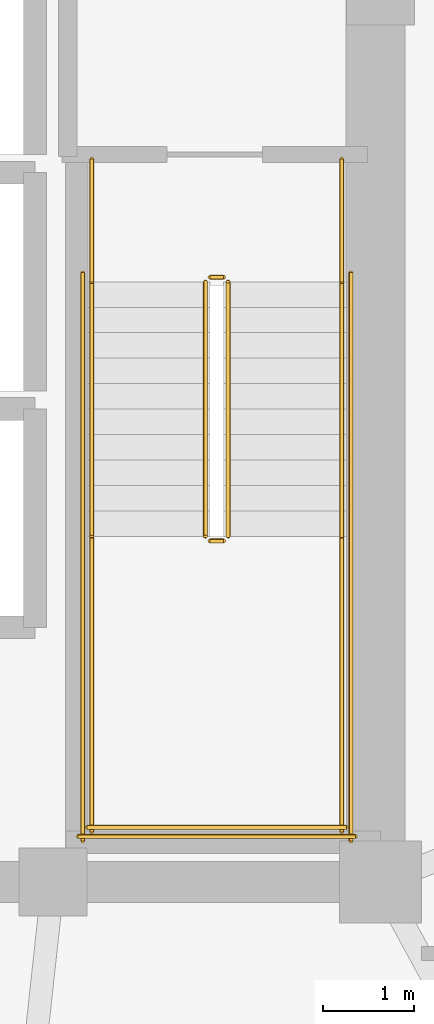
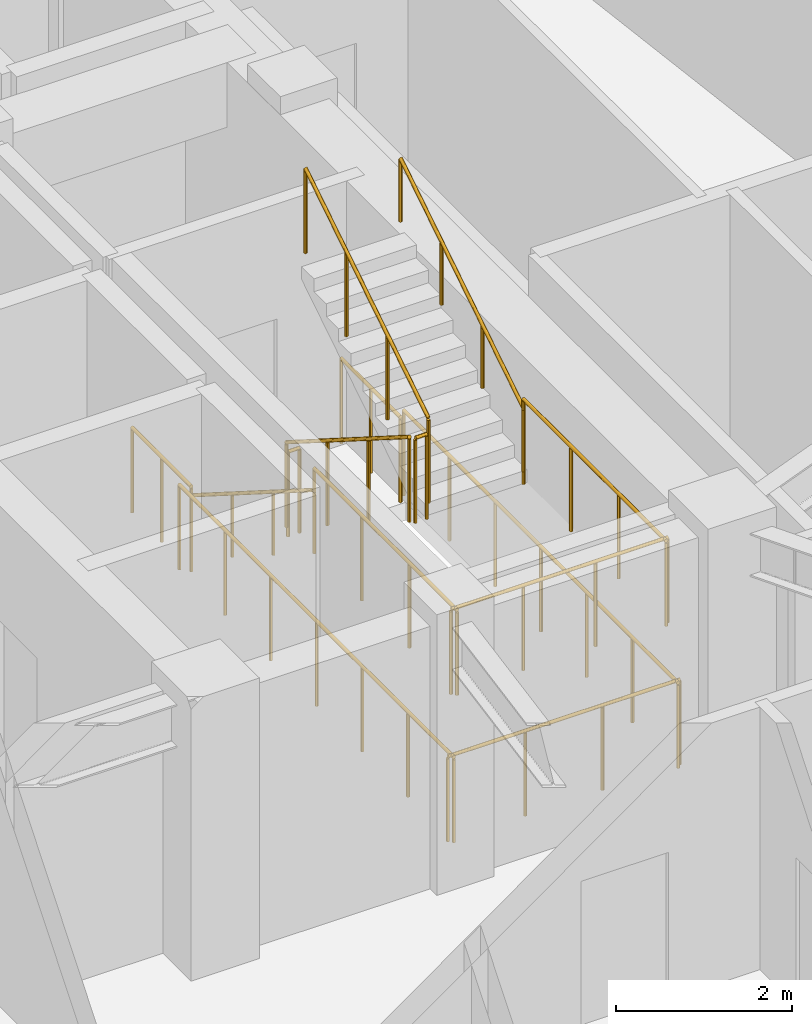
# One storey, part 11 of 11: 14 railings.
"""IFC4 building model written with IfcOpenShell, lengths in metres."""

from ifc_helpers import new_model, si_unit, direction, frame, origin, origin_2d, place, context, subcontext, project, spatial, circle, extrude, material, type_object, element, save


model = new_model("IFC4")

# Units and contexts
model_context = context("Model", 3, precision=1e-05, world=origin(), true_north=direction((0.0, 1.0)))
body_context = subcontext(model_context, "Body", "Model", "MODEL_VIEW")
ifc_project = project(units=[si_unit("LENGTHUNIT", "METRE"), si_unit("AREAUNIT", "SQUARE_METRE"), si_unit("VOLUMEUNIT", "CUBIC_METRE"), si_unit("PLANEANGLEUNIT", "RADIAN"), si_unit("MASSUNIT", "GRAM", prefix="KILO")], contexts=[model_context])

# Site, building, storey
site_placement = place(None, origin())
site = spatial("IfcSite", under=ifc_project, at=site_placement, CompositionType="ELEMENT")
building_placement = place(site_placement, origin())
building = spatial("IfcBuilding", under=site, at=building_placement, Name="Voryun Gate Residences", CompositionType="ELEMENT")
storey_placement = place(building_placement, frame((0.0, 0.0, 175.5)))
storey = spatial("IfcBuildingStorey", under=building, at=storey_placement, Name="L43", CompositionType="ELEMENT", Elevation=175.5)

# Railings
ifc_material_1 = material(Name="Painted steel", Category="steel")
railing_type_1 = type_object("IfcRailingType", Name="RAIL_STAIR_GUARD_1200", PredefinedType="GUARDRAIL", material=ifc_material_1)
railing_1_placement = place(storey_placement, frame((17.27490234375, -0.800048828125, 0.17724609375)))
element("IfcRailing", 1, at=railing_1_placement, inside=storey, type_object=railing_type_1, Name="L43 ST-E1 stair guard 1", PredefinedType="GUARDRAIL", context=body_context, shape_type="SweptSolid", body=[
    extrude(circle(Radius=0.02392578125, at=origin_2d()), frame((0.0, 0.0, 1.17578125), z_axis=(0.0, -0.844908973607, 0.534910110503), x_axis=(1.0, 0.0, 0.0)), (0.0, 0.0, 1.0), 3.31396484375),
    extrude(circle(Radius=0.02099609375, at=origin_2d()), origin(), (0.0, 0.0, 1.0), 1.15185546875),
    extrude(circle(Radius=0.02099609375, at=origin_2d()), frame((0.0, -0.933349609375, 0.5908203125)), (0.0, 0.0, 1.0), 1.15185546875),
    extrude(circle(Radius=0.02099609375, at=origin_2d()), frame((0.0, -1.86669921875, 1.181884765625)), (0.0, 0.0, 1.0), 1.15185546875),
    extrude(circle(Radius=0.02099609375, at=origin_2d()), frame((0.0, -2.800048828125, 1.772705078125)), (0.0, 0.0, 1.0), 1.15185546875),
])
railing_2_placement = place(storey_placement, frame((17.324951171875, -3.64990234375, 1.949951171875)))
element("IfcRailing", 2, at=railing_2_placement, inside=storey, type_object=railing_type_1, Name="L43 ST-E1 stair guard 2", PredefinedType="GUARDRAIL", context=body_context, shape_type="SweptSolid", body=[
    extrude(circle(Radius=0.02392578125, at=origin_2d()), frame((0.0, 0.0, 1.17578125), z_axis=(1.0, 0.0, 0.0), x_axis=(0.0, 1.0, 0.0)), (0.0, 0.0, 1.0), 0.150146484375),
    extrude(circle(Radius=0.02099609375, at=origin_2d()), origin(), (0.0, 0.0, 1.0), 1.15185546875),
    extrude(circle(Radius=0.02099609375, at=origin_2d()), frame((0.150146484375, 0.0, 0.0)), (0.0, 0.0, 1.0), 1.15185546875),
])
for number, where, name in (
    (3, (16.02490234375, -3.60009765625, 1.949951171875), "L43 ST-E1 stair guard 3"),
    (4, (18.77490234375, -3.60009765625, 1.949951171875), "L43 ST-E1 stair guard 4"),
):
    element("IfcRailing", number, at=place(storey_placement, frame(where)), inside=storey, type_object=railing_type_1, Name=name, PredefinedType="GUARDRAIL", context=body_context, shape_type="SweptSolid", body=[
        extrude(circle(Radius=0.02392578125, at=origin_2d()), frame((0.0, 0.0, 1.17578125), z_axis=(0.0, -1.0, 0.0), x_axis=(1.0, 0.0, 0.0)), (0.0, 0.0, 1.0), 3.25),
        extrude(circle(Radius=0.02099609375, at=origin_2d()), origin(), (0.0, 0.0, 1.0), 1.15185546875),
        extrude(circle(Radius=0.02099609375, at=origin_2d()), frame((0.0, -1.083251953125, 0.0)), (0.0, 0.0, 1.0), 1.15185546875),
        extrude(circle(Radius=0.02099609375, at=origin_2d()), frame((0.0, -2.166748046875, 0.0)), (0.0, 0.0, 1.0), 1.15185546875),
        extrude(circle(Radius=0.02099609375, at=origin_2d()), frame((0.0, -3.25, 0.0)), (0.0, 0.0, 1.0), 1.15185546875),
    ])
railing_3_placement = place(storey_placement, frame((15.97509765625, -6.800048828125, 1.949951171875)))
element("IfcRailing", 5, at=railing_3_placement, inside=storey, type_object=railing_type_1, Name="L43 ST-E1 stair guard 5", PredefinedType="GUARDRAIL", context=body_context, shape_type="SweptSolid", body=[
    extrude(circle(Radius=0.02392578125, at=origin_2d()), frame((0.0, 0.0, 1.17578125), z_axis=(1.0, 0.0, 0.0), x_axis=(0.0, 1.0, 0.0)), (0.0, 0.0, 1.0), 2.849853515625),
    extrude(circle(Radius=0.02099609375, at=origin_2d()), origin(), (0.0, 0.0, 1.0), 1.15185546875),
    extrude(circle(Radius=0.02099609375, at=origin_2d()), frame((0.949951171875, 0.0, 0.0)), (0.0, 0.0, 1.0), 1.15185546875),
    extrude(circle(Radius=0.02099609375, at=origin_2d()), frame((1.89990234375, 0.0, 0.0)), (0.0, 0.0, 1.0), 1.15185546875),
    extrude(circle(Radius=0.02099609375, at=origin_2d()), frame((2.849853515625, 0.0, 0.0)), (0.0, 0.0, 1.0), 1.15185546875),
])
railing_4_placement = place(storey_placement, frame((17.52490234375, -3.60009765625, 2.127197265625)))
element("IfcRailing", 6, at=railing_4_placement, inside=storey, type_object=railing_type_1, Name="L43 ST-E1 stair guard 6", PredefinedType="GUARDRAIL", context=body_context, shape_type="SweptSolid", body=[
    extrude(circle(Radius=0.02392578125, at=origin_2d()), frame((0.0, 0.0, 1.17578125), z_axis=(0.0, 0.844908973607, 0.534910110503), x_axis=(-1.0, 0.0, 0.0)), (0.0, 0.0, 1.0), 3.31396484375),
    extrude(circle(Radius=0.02099609375, at=origin_2d()), origin(), (0.0, 0.0, 1.0), 1.15185546875),
    extrude(circle(Radius=0.02099609375, at=origin_2d()), frame((0.0, 0.933349609375, 0.5908203125)), (0.0, 0.0, 1.0), 1.15185546875),
    extrude(circle(Radius=0.02099609375, at=origin_2d()), frame((0.0, 1.86669921875, 1.181884765625)), (0.0, 0.0, 1.0), 1.15185546875),
    extrude(circle(Radius=0.02099609375, at=origin_2d()), frame((0.0, 2.800048828125, 1.772705078125)), (0.0, 0.0, 1.0), 1.15185546875),
])
railing_5_placement = place(storey_placement, frame((17.324951171875, -0.75, 0.0)))
element("IfcRailing", 7, at=railing_5_placement, inside=storey, type_object=railing_type_1, Name="L43 ST-E1 stair guard 7", PredefinedType="GUARDRAIL", context=body_context, shape_type="SweptSolid", body=[
    extrude(circle(Radius=0.02392578125, at=origin_2d()), frame((0.0, 0.0, 1.17578125), z_axis=(1.0, 0.0, 0.0), x_axis=(0.0, 1.0, 0.0)), (0.0, 0.0, 1.0), 0.150146484375),
    extrude(circle(Radius=0.02099609375, at=origin_2d()), origin(), (0.0, 0.0, 1.0), 1.15185546875),
    extrude(circle(Radius=0.02099609375, at=origin_2d()), frame((0.150146484375, 0.0, 0.0)), (0.0, 0.0, 1.0), 1.15185546875),
])
for number, where, name in (
    (8, (16.02490234375, 0.550048828125, 0.0), "L43 ST-E1 stair guard 8"),
    (9, (18.77490234375, 0.550048828125, 0.0), "L43 ST-E1 stair guard 9"),
):
    element("IfcRailing", number, at=place(storey_placement, frame(where)), inside=storey, type_object=railing_type_1, Name=name, PredefinedType="GUARDRAIL", context=body_context, shape_type="SweptSolid", body=[
        extrude(circle(Radius=0.02392578125, at=origin_2d()), frame((0.0, 0.0, 1.17578125), z_axis=(0.0, -1.0, 0.0), x_axis=(1.0, 0.0, 0.0)), (0.0, 0.0, 1.0), 1.35009765625),
        extrude(circle(Radius=0.02099609375, at=origin_2d()), origin(), (0.0, 0.0, 1.0), 1.15185546875),
        extrude(circle(Radius=0.02099609375, at=origin_2d()), frame((0.0, -0.675048828125, 0.0)), (0.0, 0.0, 1.0), 1.15185546875),
        extrude(circle(Radius=0.02099609375, at=origin_2d()), frame((0.0, -1.35009765625, 0.0)), (0.0, 0.0, 1.0), 1.15185546875),
    ])
for number, where, name in (
    (10, (15.925048828125, -0.699951171875, 0.0), "L43 ST-E1 stair guard 10"),
    (11, (18.875, -0.699951171875, 0.0), "L43 ST-E1 stair guard 11"),
):
    element("IfcRailing", number, at=place(storey_placement, frame(where)), inside=storey, type_object=railing_type_1, Name=name, PredefinedType="GUARDRAIL", context=body_context, shape_type="SweptSolid", body=[
        extrude(circle(Radius=0.02392578125, at=origin_2d()), frame((0.0, 0.0, 1.17578125), z_axis=(0.0, -1.0, 0.0), x_axis=(1.0, 0.0, 0.0)), (0.0, 0.0, 1.0), 6.25),
        extrude(circle(Radius=0.02099609375, at=origin_2d()), origin(), (0.0, 0.0, 1.0), 1.15185546875),
        extrude(circle(Radius=0.02099609375, at=origin_2d()), frame((0.0, -1.041748046875, 0.0)), (0.0, 0.0, 1.0), 1.15185546875),
        extrude(circle(Radius=0.02099609375, at=origin_2d()), frame((0.0, -2.083251953125, 0.0)), (0.0, 0.0, 1.0), 1.15185546875),
        extrude(circle(Radius=0.02099609375, at=origin_2d()), frame((0.0, -3.125, 0.0)), (0.0, 0.0, 1.0), 1.15185546875),
        extrude(circle(Radius=0.02099609375, at=origin_2d()), frame((0.0, -4.166748046875, 0.0)), (0.0, 0.0, 1.0), 1.15185546875),
        extrude(circle(Radius=0.02099609375, at=origin_2d()), frame((0.0, -5.208251953125, 0.0)), (0.0, 0.0, 1.0), 1.15185546875),
        extrude(circle(Radius=0.02099609375, at=origin_2d()), frame((0.0, -6.25, 0.0)), (0.0, 0.0, 1.0), 1.15185546875),
    ])
railing_6_placement = place(storey_placement, frame((15.875, -6.89990234375, 0.0)))
element("IfcRailing", 12, at=railing_6_placement, inside=storey, type_object=railing_type_1, Name="L43 ST-E1 stair guard 12", PredefinedType="GUARDRAIL", context=body_context, shape_type="SweptSolid", body=[
    extrude(circle(Radius=0.02392578125, at=origin_2d()), frame((0.0, 0.0, 1.17578125), z_axis=(1.0, 0.0, 0.0), x_axis=(0.0, 1.0, 0.0)), (0.0, 0.0, 1.0), 3.050048828125),
    extrude(circle(Radius=0.02099609375, at=origin_2d()), origin(), (0.0, 0.0, 1.0), 1.15185546875),
    extrude(circle(Radius=0.02099609375, at=origin_2d()), frame((1.0166015625, 0.0, 0.0)), (0.0, 0.0, 1.0), 1.15185546875),
    extrude(circle(Radius=0.02099609375, at=origin_2d()), frame((2.033447265625, 0.0, 0.0)), (0.0, 0.0, 1.0), 1.15185546875),
    extrude(circle(Radius=0.02099609375, at=origin_2d()), frame((3.050048828125, 0.0, 0.0)), (0.0, 0.0, 1.0), 1.15185546875),
])
ifc_material_2 = material(Name="Painted steel", Category="steel")
railing_type_2 = type_object("IfcRailingType", Name="RAIL_STAIR_HANDRAIL_900", PredefinedType="HANDRAIL", material=ifc_material_2)
railing_7_placement = place(storey_placement, frame((16.02490234375, -0.800048828125, 0.17724609375)))
element("IfcRailing", 13, at=railing_7_placement, inside=storey, type_object=railing_type_2, Name="L43 ST-E1 stair handrail 1", PredefinedType="HANDRAIL", context=body_context, shape_type="SweptSolid", body=[
    extrude(circle(Radius=0.02392578125, at=origin_2d()), frame((0.0, 0.0, 0.8759765625), z_axis=(0.0, -0.844908973607, 0.534910110503), x_axis=(1.0, 0.0, 0.0)), (0.0, 0.0, 1.0), 3.31396484375),
    extrude(circle(Radius=0.02099609375, at=origin_2d()), origin(), (0.0, 0.0, 1.0), 0.851806640625),
    extrude(circle(Radius=0.02099609375, at=origin_2d()), frame((0.0, -0.933349609375, 0.5908203125)), (0.0, 0.0, 1.0), 0.851806640625),
    extrude(circle(Radius=0.02099609375, at=origin_2d()), frame((0.0, -1.86669921875, 1.181884765625)), (0.0, 0.0, 1.0), 0.851806640625),
    extrude(circle(Radius=0.02099609375, at=origin_2d()), frame((0.0, -2.800048828125, 1.772705078125)), (0.0, 0.0, 1.0), 0.851806640625),
])
railing_8_placement = place(storey_placement, frame((18.77490234375, -3.60009765625, 2.127197265625)))
element("IfcRailing", 14, at=railing_8_placement, inside=storey, type_object=railing_type_2, Name="L43 ST-E1 stair handrail 2", PredefinedType="HANDRAIL", context=body_context, shape_type="SweptSolid", body=[
    extrude(circle(Radius=0.02392578125, at=origin_2d()), frame((0.0, 0.0, 0.8759765625), z_axis=(0.0, 0.844908973607, 0.534910110503), x_axis=(-1.0, 0.0, 0.0)), (0.0, 0.0, 1.0), 3.31396484375),
    extrude(circle(Radius=0.02099609375, at=origin_2d()), origin(), (0.0, 0.0, 1.0), 0.851806640625),
    extrude(circle(Radius=0.02099609375, at=origin_2d()), frame((0.0, 0.933349609375, 0.5908203125)), (0.0, 0.0, 1.0), 0.851806640625),
    extrude(circle(Radius=0.02099609375, at=origin_2d()), frame((0.0, 1.86669921875, 1.181884765625)), (0.0, 0.0, 1.0), 0.851806640625),
    extrude(circle(Radius=0.02099609375, at=origin_2d()), frame((0.0, 2.800048828125, 1.772705078125)), (0.0, 0.0, 1.0), 0.851806640625),
])

save(model, "model.ifc")
